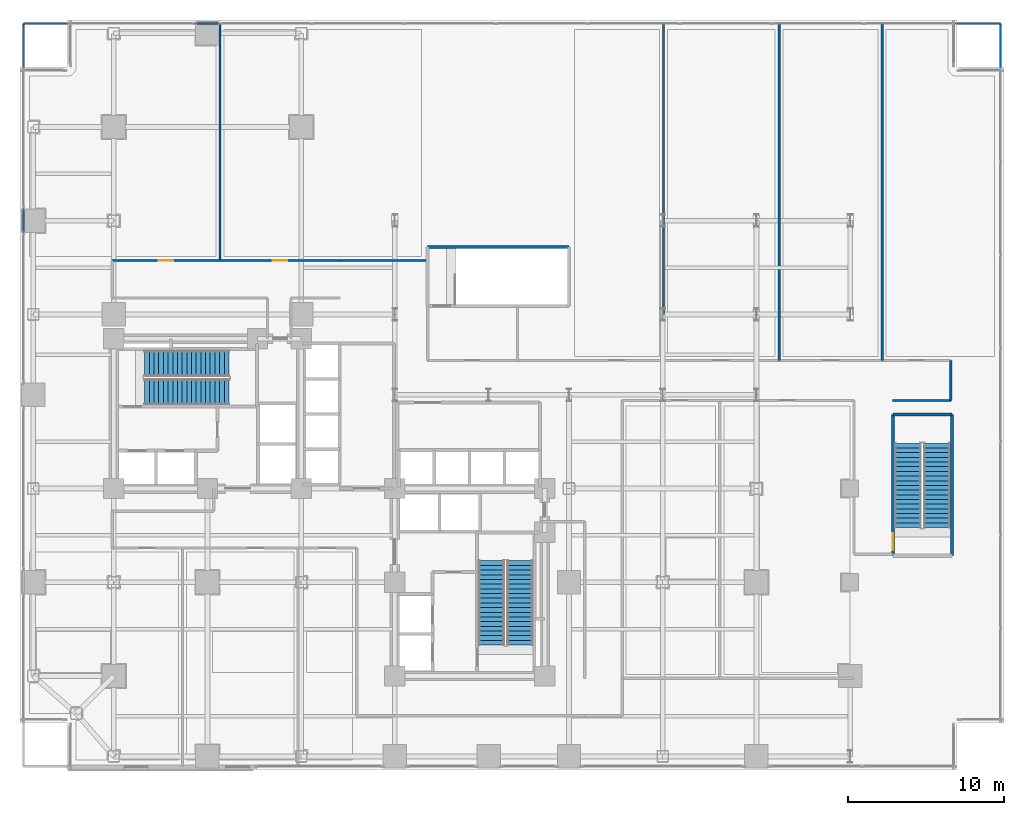
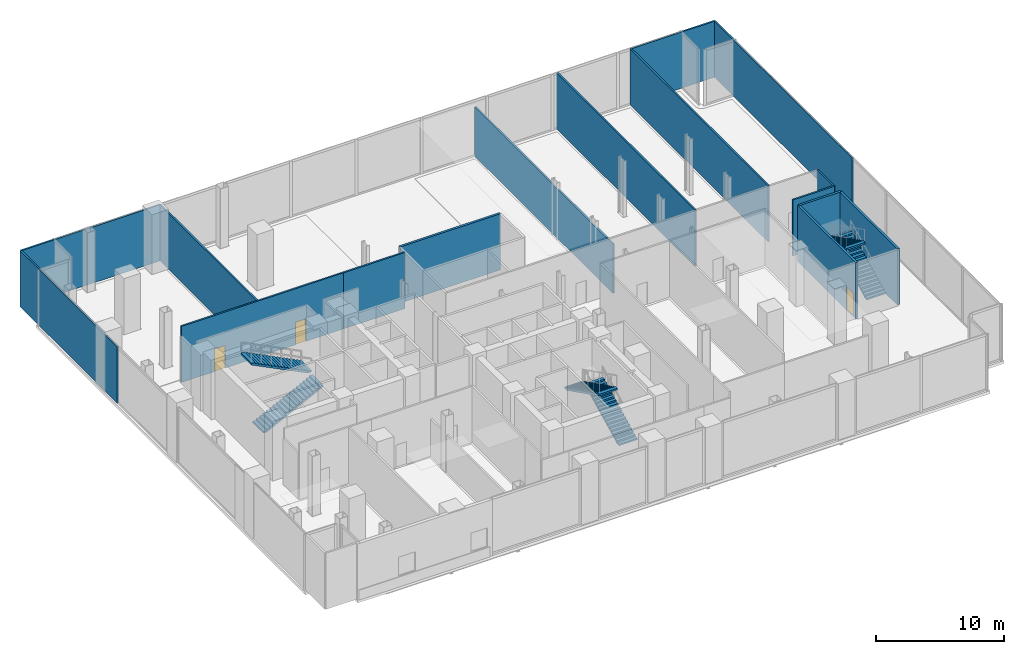
# One storey, part 23 of 27: 16 walls, 6 stair flights, 3 doors, 3 openings, 3 elements without a shape of their own.
"""IFC4 building model written with IfcOpenShell, lengths in metres."""

from ifc_helpers import new_model, si_unit, direction, frame, frame_2d, origin, place, context, subcontext, project, spatial, polyline, rectangle, outline, extrude, material, layer, layer_set, type_object, element, fill, aggregate, save


model = new_model("IFC4")

# Units and contexts
model_context = context("Model", 3, precision=1e-05, world=origin(), true_north=direction((0.0, 1.0)))
body_context = subcontext(model_context, "Body", "Model", "MODEL_VIEW")
ifc_project = project(units=[si_unit("LENGTHUNIT", "METRE"), si_unit("AREAUNIT", "SQUARE_METRE"), si_unit("VOLUMEUNIT", "CUBIC_METRE"), si_unit("PLANEANGLEUNIT", "RADIAN"), si_unit("MASSUNIT", "GRAM", prefix="KILO"), si_unit("THERMODYNAMICTEMPERATUREUNIT", "KELVIN"), si_unit("POWERUNIT", "WATT")], contexts=[model_context])

# Site, building, storey
site_placement = place(None, origin())
site = spatial("IfcSite", under=ifc_project, at=site_placement, CompositionType="ELEMENT")
building_placement = place(site_placement, origin())
building = spatial("IfcBuilding", under=site, at=building_placement, Name="Svarakhadi Broadcast Tower", CompositionType="ELEMENT")
storey_placement = place(building_placement, frame((0.0, 0.0, 21.89990234375)))
storey = spatial("IfcBuildingStorey", under=building, at=storey_placement, Name="L04", CompositionType="ELEMENT", Elevation=21.89990234375)

# Wall, openings, doors
ifc_material_1 = material(Name="Autoclaved Aerated Concrete Blockwork 150 mm", Category="masonry")
ifc_layer_1 = layer(ifc_material_1, 0.14990234375)
ifc_layer_set_1 = layer_set([ifc_layer_1], Name="Autoclaved Aerated Concrete Blockwork 150 mm")
wall_type_1 = type_object("IfcWallType", Name="Wall_Part_150", PredefinedType="PARTITIONING", material=ifc_layer_set_1)
wall_1_placement = place(storey_placement, frame((5.89990234375, 32.60009765625, 0.0), z_axis=(0.0, 0.0, 1.0), x_axis=(1.0, 0.0, 0.0)))
wall_1 = element("IfcWall", 1, at=wall_1_placement, inside=storey, type_object=wall_type_1, Name="L04 Podium Gallery Wall", PredefinedType="PARTITIONING", context=body_context, shape_type="SweptSolid", body=[
    extrude(rectangle(XDim=14.60009765625, YDim=0.14990234375, at=frame_2d((7.300048828125, 0.0))), origin(), (0.0, 0.0, 1.0), 5.35009765625),
])
opening_1_placement = place(wall_1_placement, frame((2.97509765625, 0.0, 0.0)))
opening_1 = element("IfcOpeningElement", 2, at=opening_1_placement, cuts=wall_1, Name="Opening D-06", PredefinedType="OPENING", context=body_context, shape_type="SweptSolid", body=[
    extrude(rectangle(XDim=0.949951171875, YDim=2.14990234375, at=frame_2d((0.47509765625, 1.074951171875))), frame((0.0, 0.0849609375, 0.0), z_axis=(0.0, -1.0, 0.0), x_axis=(1.0, 0.0, 0.0)), (0.0, 0.0, 1.0), 0.169921875),
])
opening_2_placement = place(wall_1_placement, frame((10.27490234375, 0.0, 0.0)))
opening_2 = element("IfcOpeningElement", 3, at=opening_2_placement, cuts=wall_1, Name="Opening D-07", PredefinedType="OPENING", context=body_context, shape_type="SweptSolid", body=[
    extrude(rectangle(XDim=0.949951171875, YDim=2.14990234375, at=frame_2d((0.47509765625, 1.074951171875))), frame((0.0, 0.0849609375, 0.0), z_axis=(0.0, -1.0, 0.0), x_axis=(1.0, 0.0, 0.0)), (0.0, 0.0, 1.0), 0.169921875),
])
ifc_material_2 = material(Name="Solid-Core Teak Veneer Acoustic Timber Leaf", Category="wood")
door_type_1 = type_object("IfcDoorType", Name="Door_Office_D06", OperationType="SINGLE_SWING_LEFT", PredefinedType="DOOR", material=ifc_material_2)
door_1_placement = place(opening_1_placement, origin())
door_1 = element("IfcDoor", 4, at=door_1_placement, inside=storey, type_object=door_type_1, Name="L04 L04 Radio Drama Studio Door", OperationType="SINGLE_SWING_LEFT", OverallHeight=2.14990234375, OverallWidth=0.949951171875, PredefinedType="DOOR", context=body_context, shape_type="SweptSolid", body=[
    extrude(rectangle(XDim=0.949951171875, YDim=2.14990234375, at=frame_2d((0.47509765625, 1.074951171875))), frame((0.0, 0.02490234375, 0.0), z_axis=(0.0, -1.0, 0.0), x_axis=(1.0, 0.0, 0.0)), (0.0, 0.0, 1.0), 0.050048828125),
])
fill(opening_1, door_1)
door_type_2 = type_object("IfcDoorType", Name="Door_Office_D07", OperationType="SINGLE_SWING_RIGHT", PredefinedType="DOOR", material=ifc_material_2)
door_2_placement = place(opening_2_placement, origin())
door_2 = element("IfcDoor", 5, at=door_2_placement, inside=storey, type_object=door_type_2, Name="L04 L04 Scenic Prop Storage Room Door", OperationType="SINGLE_SWING_RIGHT", OverallHeight=2.14990234375, OverallWidth=0.949951171875, PredefinedType="DOOR", context=body_context, shape_type="SweptSolid", body=[
    extrude(rectangle(XDim=0.949951171875, YDim=2.14990234375, at=frame_2d((0.47509765625, 1.074951171875))), frame((0.0, 0.02490234375, 0.0), z_axis=(0.0, -1.0, 0.0), x_axis=(1.0, 0.0, 0.0)), (0.0, 0.0, 1.0), 0.050048828125),
])
fill(opening_2, door_2)

# Walls
wall_2_placement = place(storey_placement, frame((20.5, 32.60009765625, 0.0), z_axis=(0.0, 0.0, 1.0), x_axis=(1.0, 0.0, 0.0)))
element("IfcWall", 6, at=wall_2_placement, inside=storey, type_object=wall_type_1, Name="L04 Podium Gallery Wall", PredefinedType="PARTITIONING", context=body_context, shape_type="SweptSolid", body=[
    extrude(rectangle(XDim=5.550048828125, YDim=0.14990234375, at=frame_2d((2.77490234375, 0.0))), origin(), (0.0, 0.0, 1.0), 5.35009765625),
])
wall_3_placement = place(storey_placement, frame((59.60009765625, 26.199951171875, 0.0), z_axis=(0.0, 0.0, 1.0), x_axis=(0.0, -1.0, 0.0)))
element("IfcWall", 7, at=wall_3_placement, inside=storey, type_object=wall_type_1, Name="L04 Podium Gallery Wall", PredefinedType="PARTITIONING", context=body_context, shape_type="SweptSolid", body=[
    extrude(rectangle(XDim=2.56005859375, YDim=0.14990234375, at=frame_2d((1.280029296875, 0.0))), origin(), (0.0, 0.0, 1.0), 5.35009765625),
])
wall_4_placement = place(storey_placement, frame((59.60009765625, 23.639892578125, 0.0), z_axis=(0.0, 0.0, 1.0), x_axis=(-1.0, 0.0, 0.0)))
element("IfcWall", 8, at=wall_4_placement, inside=storey, type_object=wall_type_1, Name="L04 Podium Gallery Wall", PredefinedType="PARTITIONING", context=body_context, shape_type="SweptSolid", body=[
    extrude(rectangle(XDim=3.75, YDim=0.14990234375, at=frame_2d((1.875, 0.0))), origin(), (0.0, 0.0, 1.0), 5.35009765625),
])
wall_5_placement = place(storey_placement, frame((41.199951171875, 26.199951171875, 0.0), z_axis=(0.0, 0.0, 1.0), x_axis=(0.0, 1.0, 0.0)))
element("IfcWall", 9, at=wall_5_placement, inside=storey, type_object=wall_type_1, Name="L04 L04 Satellite Ingest and Playout Office Wall", PredefinedType="PARTITIONING", context=body_context, shape_type="SweptSolid", body=[
    extrude(rectangle(XDim=21.580078125, YDim=0.14990234375, at=frame_2d((10.7900390625, 0.0))), origin(), (0.0, 0.0, 1.0), 4.692138671875),
])
for number, where, z_axis, x_axis, name in (
    (10, (48.60009765625, 26.199951171875, 0.0), (0.0, 0.0, 1.0), (0.0, 1.0, 0.0), "L04 L04 Editorial Conference Room Wall"),
    (11, (55.199951171875, 26.199951171875, 0.0), (0.0, 0.0, 1.0), (0.0, 1.0, 0.0), "L04 L04 Staff Dining Canteen Wall"),
):
    element("IfcWall", number, at=place(storey_placement, frame(where, z_axis=z_axis, x_axis=x_axis)), inside=storey, type_object=wall_type_1, Name=name, PredefinedType="PARTITIONING", context=body_context, shape_type="SweptSolid", body=[
        extrude(rectangle(XDim=21.580078125, YDim=0.14990234375, at=frame_2d((10.7900390625, 0.0))), origin(), (0.0, 0.0, 1.0), 5.35009765625),
    ])
wall_6_placement = place(storey_placement, frame((55.199951171875, 47.780029296875, 0.0), z_axis=(0.0, 0.0, 1.0), x_axis=(1.0, 0.0, 0.0)))
element("IfcWall", 12, at=wall_6_placement, inside=storey, type_object=wall_type_1, Name="L04 L04 Broadcast Copy and Archive Store Wall", PredefinedType="PARTITIONING", context=body_context, shape_type="SweptSolid", body=[
    extrude(rectangle(XDim=7.580078125, YDim=0.14990234375, at=frame_2d((3.7900390625, 0.0))), origin(), (0.0, 0.0, 1.0), 5.35009765625),
])
wall_7_placement = place(storey_placement, frame((62.780029296875, 26.199951171875, 0.0), z_axis=(0.0, 0.0, 1.0), x_axis=(0.0, 1.0, 0.0)))
element("IfcWall", 13, at=wall_7_placement, inside=storey, type_object=wall_type_1, Name="L04 L04 Broadcast Copy and Archive Store Wall", PredefinedType="PARTITIONING", context=body_context, shape_type="SweptSolid", body=[
    extrude(rectangle(XDim=21.580078125, YDim=0.14990234375, at=frame_2d((10.7900390625, 0.0))), origin(), (0.0, 0.0, 1.0), 5.35009765625),
])
wall_8_placement = place(storey_placement, frame((0.219970703125, 47.780029296875, 0.0), z_axis=(0.0, 0.0, 1.0), x_axis=(1.0, 0.0, 0.0)))
element("IfcWall", 14, at=wall_8_placement, inside=storey, type_object=wall_type_1, Name="L04 L04 Radio Drama Studio Wall", PredefinedType="PARTITIONING", context=body_context, shape_type="SweptSolid", body=[
    extrude(rectangle(XDim=12.580078125, YDim=0.14990234375, at=frame_2d((6.2900390625, 0.0))), origin(), (0.0, 0.0, 1.0), 5.35009765625),
])
for number, where, z_axis, x_axis, name in (
    (15, (0.219970703125, 32.60009765625, 0.0), (0.0, 0.0, 1.0), (0.0, 1.0, 0.0), "L04 L04 Radio Drama Studio Wall"),
    (16, (12.800048828125, 32.60009765625, 0.0), (0.0, 0.0, 1.0), (0.0, 1.0, 0.0), "L04 L04 Radio Drama Studio Wall"),
):
    element("IfcWall", number, at=place(storey_placement, frame(where, z_axis=z_axis, x_axis=x_axis)), inside=storey, type_object=wall_type_1, Name=name, PredefinedType="PARTITIONING", context=body_context, shape_type="SweptSolid", body=[
        extrude(rectangle(XDim=15.179931640625, YDim=0.14990234375, at=frame_2d((7.58984375, 0.0))), origin(), (0.0, 0.0, 1.0), 5.35009765625),
    ])
ifc_material_3 = material(Name="Concrete C50/60 (IS 456 M60)", Category="concrete")
ifc_layer_2 = layer(ifc_material_3, 0.199951171875)
ifc_layer_set_2 = layer_set([ifc_layer_2], Name="Concrete C50/60 (IS 456 M60)")
wall_type_2 = type_object("IfcWallType", Name="Wall_Shear_200", PredefinedType="SHEAR", material=ifc_layer_set_2)
wall_9_placement = place(storey_placement, frame((26.10009765625, 33.4599609375, 0.0), z_axis=(0.0, 0.0, 1.0), x_axis=(1.0, 0.0, 0.0)))
element("IfcWall", 17, at=wall_9_placement, inside=storey, type_object=wall_type_2, Name="L04 Stair ST-03 North RC Shaft Wall", PredefinedType="SHEAR", context=body_context, shape_type="SweptSolid", body=[
    extrude(rectangle(XDim=9.0498046875, YDim=0.199951171875, at=frame_2d((4.52490234375, 0.0))), origin(), (0.0, 0.0, 1.0), 5.35009765625),
])

# Wall, opening, door
wall_10_placement = place(storey_placement, frame((55.89990234375, 13.699951171875, 0.0), z_axis=(0.0, 0.0, 1.0), x_axis=(0.0, 1.0, 0.0)))
wall_10 = element("IfcWall", 18, at=wall_10_placement, inside=storey, type_object=wall_type_2, Name="L04 Stair ST-04 West RC Shaft Wall", PredefinedType="SHEAR", context=body_context, shape_type="SweptSolid", body=[
    extrude(rectangle(XDim=9.050048828125, YDim=0.199951171875, at=frame_2d((4.52490234375, 0.0))), origin(), (0.0, 0.0, 1.0), 5.35009765625),
])
opening_3_placement = place(wall_10_placement, frame((0.35009765625, 0.0, 0.0)))
opening_3 = element("IfcOpeningElement", 19, at=opening_3_placement, cuts=wall_10, Name="Opening D-02", PredefinedType="OPENING", context=body_context, shape_type="SweptSolid", body=[
    extrude(rectangle(XDim=1.10009765625, YDim=2.199951171875, at=frame_2d((0.550048828125, 1.10009765625))), frame((0.0, 0.10986328125, 0.0), z_axis=(0.0, -1.0, 0.0), x_axis=(1.0, 0.0, 0.0)), (0.0, 0.0, 1.0), 0.219970703125),
])
ifc_material_4 = material(Name="Galvanised Powder-Coated Fire-Rated Steel Leaf", Category="steel")
door_type_3 = type_object("IfcDoorType", Name="Door_Stair_D02", OperationType="SINGLE_SWING_RIGHT", PredefinedType="DOOR", material=ifc_material_4)
door_3_placement = place(opening_3_placement, origin())
door_3 = element("IfcDoor", 20, at=door_3_placement, inside=storey, type_object=door_type_3, Name="L04 Podium East Stair ST-04 Fire Door", OperationType="SINGLE_SWING_RIGHT", OverallHeight=2.199951171875, OverallWidth=1.10009765625, PredefinedType="DOOR", context=body_context, shape_type="SweptSolid", body=[
    extrude(rectangle(XDim=1.10009765625, YDim=2.199951171875, at=frame_2d((0.550048828125, 1.10009765625))), frame((0.0, 0.02490234375, 0.0), z_axis=(0.0, -1.0, 0.0), x_axis=(1.0, 0.0, 0.0)), (0.0, 0.0, 1.0), 0.050048828125),
])
fill(opening_3, door_3)

# Walls
wall_11_placement = place(storey_placement, frame((59.659912109375, 13.699951171875, 0.0), z_axis=(0.0, 0.0, 1.0), x_axis=(0.0, 1.0, 0.0)))
element("IfcWall", 21, at=wall_11_placement, inside=storey, type_object=wall_type_2, Name="L04 Stair ST-04 East RC Shaft Wall", PredefinedType="SHEAR", context=body_context, shape_type="SweptSolid", body=[
    extrude(rectangle(XDim=9.050048828125, YDim=0.199951171875, at=frame_2d((4.52490234375, 0.0))), origin(), (0.0, 0.0, 1.0), 5.35009765625),
])
wall_12_placement = place(storey_placement, frame((55.89990234375, 22.75, 0.0), z_axis=(0.0, 0.0, 1.0), x_axis=(1.0, 0.0, 0.0)))
element("IfcWall", 22, at=wall_12_placement, inside=storey, type_object=wall_type_2, Name="L04 Stair ST-04 North RC Shaft Wall", PredefinedType="SHEAR", context=body_context, shape_type="SweptSolid", body=[
    extrude(rectangle(XDim=3.760009765625, YDim=0.199951171875, at=frame_2d((1.8798828125, 0.0))), origin(), (0.0, 0.0, 1.0), 5.35009765625),
])

# Stair, stair flights
ifc_material_5 = material(Name="Concrete C40/50 (IS 456 M50)", Category="concrete")
stair_type_1 = type_object("IfcStairType", Name="Stair_Exit_Core", PredefinedType="HALF_TURN_STAIR", material=ifc_material_5)
stair_1_placement = place(storey_placement, origin())
stair_1 = element("IfcStair", 23, at=stair_1_placement, inside=storey, type_object=stair_type_1, Name="L04 West Core Protected Exit Stair ST-01", PredefinedType="HALF_TURN_STAIR")
stair_flight_type_1 = type_object("IfcStairFlightType", Name="Flight_RC_1680", PredefinedType="STRAIGHT", material=ifc_material_5)
stair_flight_1_placement = place(storey_placement, frame((7.97998046875, 24.18994140625, 0.0), z_axis=(0.0, 0.0, 1.0), x_axis=(1.0, 0.0, 0.0)))
stair_flight_1 = element("IfcStairFlight", 24, at=stair_flight_1_placement, type_object=stair_flight_type_1, Name="ST-01 flight 1", NumberOfRisers=19, NumberOfTreads=18, PredefinedType="STRAIGHT", RiserHeight=0.15, TreadLength=0.3, context=body_context, shape_type="SweptSolid", body=[
    extrude(outline(polyline([(0.0, 0.0), (0.0, 0.14990234375), (0.300048828125, 0.14990234375), (0.300048828125, 0.300048828125), (0.60009765625, 0.300048828125), (0.60009765625, 0.449951171875), (0.89990234375, 0.449951171875), (0.89990234375, 0.60009765625), (1.199951171875, 0.60009765625), (1.199951171875, 0.75), (1.5, 0.75), (1.5, 0.89990234375), (1.800048828125, 0.89990234375), (1.800048828125, 1.050048828125), (2.10009765625, 1.050048828125), (2.10009765625, 1.199951171875), (2.39990234375, 1.199951171875), (2.39990234375, 1.35009765625), (2.699951171875, 1.35009765625), (2.699951171875, 1.5), (3.0, 1.5), (3.0, 1.64990234375), (3.300048828125, 1.64990234375), (3.300048828125, 1.800048828125), (3.60009765625, 1.800048828125), (3.60009765625, 1.949951171875), (3.89990234375, 1.949951171875), (3.89990234375, 2.10009765625), (4.199951171875, 2.10009765625), (4.199951171875, 2.25), (4.5, 2.25), (4.5, 2.39990234375), (4.800048828125, 2.39990234375), (4.800048828125, 2.550048828125), (5.10009765625, 2.550048828125), (5.10009765625, 2.699951171875), (5.39990234375, 2.699951171875), (5.39990234375, 2.85009765625), (5.39990234375, 2.532470703125), (0.335205078125, 0.0), (0.0, 0.0)])), frame((0.0, 0.830078125, 0.0), z_axis=(0.0, -1.0, 0.0), x_axis=(1.0, 0.0, 0.0)), (0.0, 0.0, 1.0), 1.659912109375),
])
stair_flight_2_placement = place(storey_placement, frame((13.3798828125, 26.010009765625, 2.85009765625), z_axis=(0.0, 0.0, 1.0), x_axis=(-1.0, 0.0, 0.0)))
stair_flight_2 = element("IfcStairFlight", 25, at=stair_flight_2_placement, type_object=stair_flight_type_1, Name="ST-01 flight 2", NumberOfRisers=19, NumberOfTreads=18, PredefinedType="STRAIGHT", RiserHeight=0.15, TreadLength=0.3, context=body_context, shape_type="SweptSolid", body=[
    extrude(outline(polyline([(0.0, 0.0), (0.0, 0.14990234375), (0.300048828125, 0.14990234375), (0.300048828125, 0.300048828125), (0.60009765625, 0.300048828125), (0.60009765625, 0.449951171875), (0.89990234375, 0.449951171875), (0.89990234375, 0.60009765625), (1.199951171875, 0.60009765625), (1.199951171875, 0.75), (1.5, 0.75), (1.5, 0.89990234375), (1.800048828125, 0.89990234375), (1.800048828125, 1.050048828125), (2.10009765625, 1.050048828125), (2.10009765625, 1.199951171875), (2.39990234375, 1.199951171875), (2.39990234375, 1.35009765625), (2.699951171875, 1.35009765625), (2.699951171875, 1.5), (3.0, 1.5), (3.0, 1.64990234375), (3.300048828125, 1.64990234375), (3.300048828125, 1.800048828125), (3.60009765625, 1.800048828125), (3.60009765625, 1.949951171875), (3.89990234375, 1.949951171875), (3.89990234375, 2.10009765625), (4.199951171875, 2.10009765625), (4.199951171875, 2.25), (4.5, 2.25), (4.5, 2.39990234375), (4.800048828125, 2.39990234375), (4.800048828125, 2.550048828125), (5.10009765625, 2.550048828125), (5.10009765625, 2.699951171875), (5.39990234375, 2.699951171875), (5.39990234375, 2.85009765625), (5.39990234375, 2.532470703125), (0.335205078125, 0.0), (0.0, 0.0)])), frame((0.0, 0.830078125, 0.0), z_axis=(0.0, -1.0, 0.0), x_axis=(1.0, 0.0, 0.0)), (0.0, 0.0, 1.0), 1.659912109375),
])
aggregate(stair_1, [stair_flight_1, stair_flight_2])

stair_2_placement = place(storey_placement, origin())
stair_2 = element("IfcStair", 26, at=stair_2_placement, inside=storey, type_object=stair_type_1, Name="L04 East Core Protected Exit Stair ST-02", PredefinedType="HALF_TURN_STAIR")
stair_flight_3_placement = place(storey_placement, frame((32.010009765625, 7.97998046875, 0.0), z_axis=(0.0, 0.0, 1.0), x_axis=(0.0, 1.0, 0.0)))
stair_flight_3 = element("IfcStairFlight", 27, at=stair_flight_3_placement, type_object=stair_flight_type_1, Name="ST-02 flight 1", NumberOfRisers=19, NumberOfTreads=18, PredefinedType="STRAIGHT", RiserHeight=0.15, TreadLength=0.3, context=body_context, shape_type="SweptSolid", body=[
    extrude(outline(polyline([(0.0, 0.0), (0.0, 0.14990234375), (0.300048828125, 0.14990234375), (0.300048828125, 0.300048828125), (0.60009765625, 0.300048828125), (0.60009765625, 0.449951171875), (0.89990234375, 0.449951171875), (0.89990234375, 0.60009765625), (1.199951171875, 0.60009765625), (1.199951171875, 0.75), (1.5, 0.75), (1.5, 0.89990234375), (1.800048828125, 0.89990234375), (1.800048828125, 1.050048828125), (2.10009765625, 1.050048828125), (2.10009765625, 1.199951171875), (2.39990234375, 1.199951171875), (2.39990234375, 1.35009765625), (2.699951171875, 1.35009765625), (2.699951171875, 1.5), (3.0, 1.5), (3.0, 1.64990234375), (3.300048828125, 1.64990234375), (3.300048828125, 1.800048828125), (3.60009765625, 1.800048828125), (3.60009765625, 1.949951171875), (3.89990234375, 1.949951171875), (3.89990234375, 2.10009765625), (4.199951171875, 2.10009765625), (4.199951171875, 2.25), (4.5, 2.25), (4.5, 2.39990234375), (4.800048828125, 2.39990234375), (4.800048828125, 2.550048828125), (5.10009765625, 2.550048828125), (5.10009765625, 2.699951171875), (5.39990234375, 2.699951171875), (5.39990234375, 2.85009765625), (5.39990234375, 2.532470703125), (0.335205078125, 0.0), (0.0, 0.0)])), frame((0.0, 0.830078125, 0.0), z_axis=(0.0, -1.0, 0.0), x_axis=(1.0, 0.0, 0.0)), (0.0, 0.0, 1.0), 1.659912109375),
])
stair_flight_4_placement = place(storey_placement, frame((30.18994140625, 13.3798828125, 2.85009765625), z_axis=(0.0, 0.0, 1.0), x_axis=(0.0, -1.0, 0.0)))
stair_flight_4 = element("IfcStairFlight", 28, at=stair_flight_4_placement, type_object=stair_flight_type_1, Name="ST-02 flight 2", NumberOfRisers=19, NumberOfTreads=18, PredefinedType="STRAIGHT", RiserHeight=0.15, TreadLength=0.3, context=body_context, shape_type="SweptSolid", body=[
    extrude(outline(polyline([(0.0, 0.0), (0.0, 0.14990234375), (0.300048828125, 0.14990234375), (0.300048828125, 0.300048828125), (0.60009765625, 0.300048828125), (0.60009765625, 0.449951171875), (0.89990234375, 0.449951171875), (0.89990234375, 0.60009765625), (1.199951171875, 0.60009765625), (1.199951171875, 0.75), (1.5, 0.75), (1.5, 0.89990234375), (1.800048828125, 0.89990234375), (1.800048828125, 1.050048828125), (2.10009765625, 1.050048828125), (2.10009765625, 1.199951171875), (2.39990234375, 1.199951171875), (2.39990234375, 1.35009765625), (2.699951171875, 1.35009765625), (2.699951171875, 1.5), (3.0, 1.5), (3.0, 1.64990234375), (3.300048828125, 1.64990234375), (3.300048828125, 1.800048828125), (3.60009765625, 1.800048828125), (3.60009765625, 1.949951171875), (3.89990234375, 1.949951171875), (3.89990234375, 2.10009765625), (4.199951171875, 2.10009765625), (4.199951171875, 2.25), (4.5, 2.25), (4.5, 2.39990234375), (4.800048828125, 2.39990234375), (4.800048828125, 2.550048828125), (5.10009765625, 2.550048828125), (5.10009765625, 2.699951171875), (5.39990234375, 2.699951171875), (5.39990234375, 2.85009765625), (5.39990234375, 2.532470703125), (0.335205078125, 0.0), (0.0, 0.0)])), frame((0.0, 0.830078125, 0.0), z_axis=(0.0, -1.0, 0.0), x_axis=(1.0, 0.0, 0.0)), (0.0, 0.0, 1.0), 1.659912109375),
])
aggregate(stair_2, [stair_flight_3, stair_flight_4])

stair_type_2 = type_object("IfcStairType", Name="Stair_Exit_Pod", PredefinedType="HALF_TURN_STAIR", material=ifc_material_5)
stair_3_placement = place(storey_placement, origin())
stair_3 = element("IfcStair", 29, at=stair_3_placement, inside=storey, type_object=stair_type_2, Name="L04 Podium East Broadcast Exit Stair ST-04", PredefinedType="HALF_TURN_STAIR")
stair_flight_type_2 = type_object("IfcStairFlightType", Name="Flight_RC_1800", PredefinedType="STRAIGHT", material=ifc_material_5)
stair_flight_5_placement = place(storey_placement, frame((58.7099609375, 15.5, 0.0), z_axis=(0.0, 0.0, 1.0), x_axis=(0.0, 1.0, 0.0)))
stair_flight_5 = element("IfcStairFlight", 30, at=stair_flight_5_placement, type_object=stair_flight_type_2, Name="ST-04 flight 1", NumberOfRisers=19, NumberOfTreads=18, PredefinedType="STRAIGHT", RiserHeight=0.15, TreadLength=0.3, context=body_context, shape_type="SweptSolid", body=[
    extrude(outline(polyline([(0.0, 0.0), (0.0, 0.14990234375), (0.300048828125, 0.14990234375), (0.300048828125, 0.300048828125), (0.60009765625, 0.300048828125), (0.60009765625, 0.449951171875), (0.89990234375, 0.449951171875), (0.89990234375, 0.60009765625), (1.199951171875, 0.60009765625), (1.199951171875, 0.75), (1.5, 0.75), (1.5, 0.89990234375), (1.800048828125, 0.89990234375), (1.800048828125, 1.050048828125), (2.10009765625, 1.050048828125), (2.10009765625, 1.199951171875), (2.39990234375, 1.199951171875), (2.39990234375, 1.35009765625), (2.699951171875, 1.35009765625), (2.699951171875, 1.5), (3.0, 1.5), (3.0, 1.64990234375), (3.300048828125, 1.64990234375), (3.300048828125, 1.800048828125), (3.60009765625, 1.800048828125), (3.60009765625, 1.949951171875), (3.89990234375, 1.949951171875), (3.89990234375, 2.10009765625), (4.199951171875, 2.10009765625), (4.199951171875, 2.25), (4.5, 2.25), (4.5, 2.39990234375), (4.800048828125, 2.39990234375), (4.800048828125, 2.550048828125), (5.10009765625, 2.550048828125), (5.10009765625, 2.699951171875), (5.39990234375, 2.699951171875), (5.39990234375, 2.85009765625), (5.39990234375, 2.532470703125), (0.335205078125, 0.0), (0.0, 0.0)])), frame((0.0, 0.85009765625, 0.0), z_axis=(0.0, -1.0, 0.0), x_axis=(1.0, 0.0, 0.0)), (0.0, 0.0, 1.0), 1.699951171875),
])
stair_flight_6_placement = place(storey_placement, frame((56.85009765625, 20.89990234375, 2.85009765625), z_axis=(0.0, 0.0, 1.0), x_axis=(0.0, -1.0, 0.0)))
stair_flight_6 = element("IfcStairFlight", 31, at=stair_flight_6_placement, type_object=stair_flight_type_2, Name="ST-04 flight 2", NumberOfRisers=19, NumberOfTreads=18, PredefinedType="STRAIGHT", RiserHeight=0.15, TreadLength=0.3, context=body_context, shape_type="SweptSolid", body=[
    extrude(outline(polyline([(0.0, 0.0), (0.0, 0.14990234375), (0.300048828125, 0.14990234375), (0.300048828125, 0.300048828125), (0.60009765625, 0.300048828125), (0.60009765625, 0.449951171875), (0.89990234375, 0.449951171875), (0.89990234375, 0.60009765625), (1.199951171875, 0.60009765625), (1.199951171875, 0.75), (1.5, 0.75), (1.5, 0.89990234375), (1.800048828125, 0.89990234375), (1.800048828125, 1.050048828125), (2.10009765625, 1.050048828125), (2.10009765625, 1.199951171875), (2.39990234375, 1.199951171875), (2.39990234375, 1.35009765625), (2.699951171875, 1.35009765625), (2.699951171875, 1.5), (3.0, 1.5), (3.0, 1.64990234375), (3.300048828125, 1.64990234375), (3.300048828125, 1.800048828125), (3.60009765625, 1.800048828125), (3.60009765625, 1.949951171875), (3.89990234375, 1.949951171875), (3.89990234375, 2.10009765625), (4.199951171875, 2.10009765625), (4.199951171875, 2.25), (4.5, 2.25), (4.5, 2.39990234375), (4.800048828125, 2.39990234375), (4.800048828125, 2.550048828125), (5.10009765625, 2.550048828125), (5.10009765625, 2.699951171875), (5.39990234375, 2.699951171875), (5.39990234375, 2.85009765625), (5.39990234375, 2.532470703125), (0.335205078125, 0.0), (0.0, 0.0)])), frame((0.0, 0.85009765625, 0.0), z_axis=(0.0, -1.0, 0.0), x_axis=(1.0, 0.0, 0.0)), (0.0, 0.0, 1.0), 1.699951171875),
])
aggregate(stair_3, [stair_flight_5, stair_flight_6])

save(model, "model.ifc")
